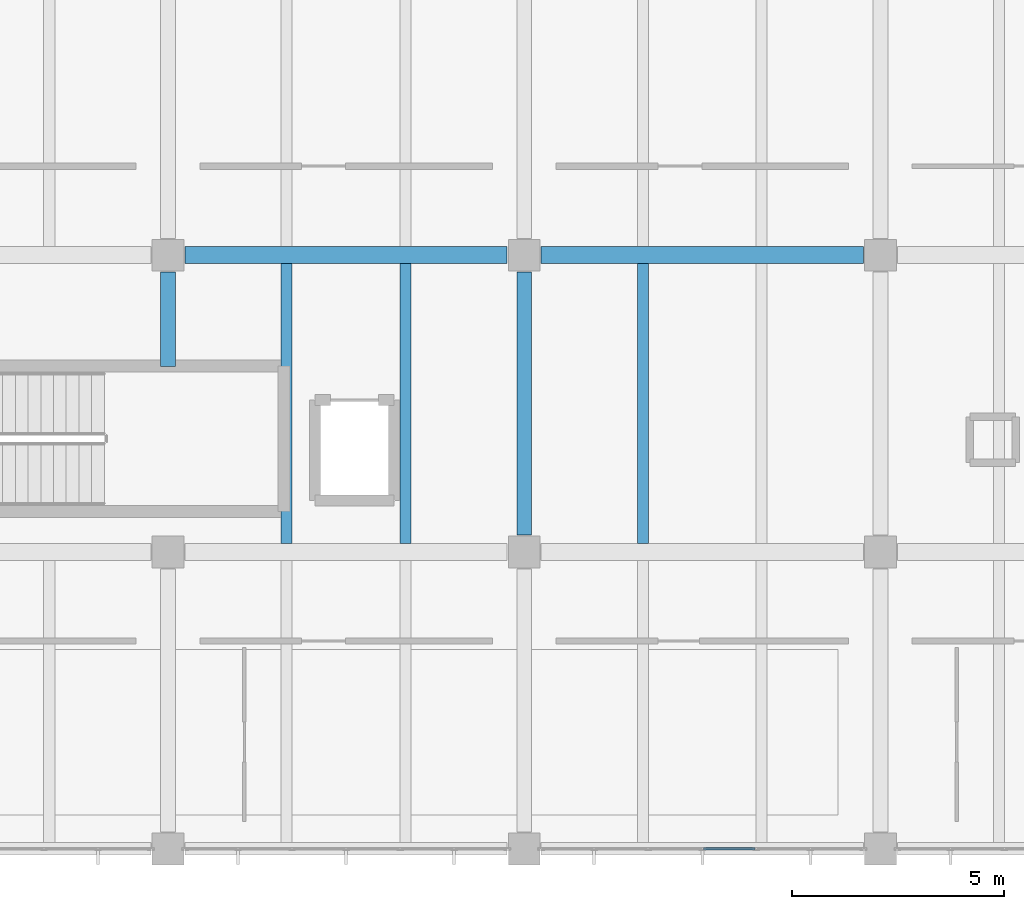
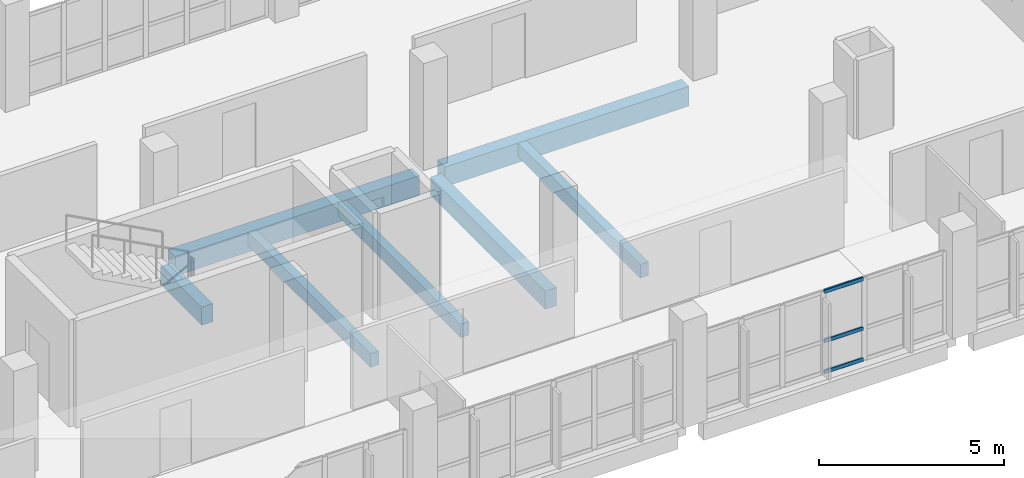
# One storey, part 17 of 95: 7 beams, 3 members, 1 element without a shape of its own.
"""IFC4 building model written with IfcOpenShell, lengths in metres."""

from ifc_helpers import new_model, si_unit, direction, frame, origin, origin_2d, place, context, subcontext, project, spatial, rectangle, hollow_rectangle, extrude, material, layer, layer_set, material_profile, profile_set, type_object, element, aggregate, save


model = new_model("IFC4")

# Units and contexts
model_context = context("Model", 3, precision=1e-05, world=origin(), true_north=direction((0.0, 1.0)))
body_context = subcontext(model_context, "Body", "Model", "MODEL_VIEW")
ifc_project = project(units=[si_unit("LENGTHUNIT", "METRE"), si_unit("AREAUNIT", "SQUARE_METRE"), si_unit("VOLUMEUNIT", "CUBIC_METRE"), si_unit("PLANEANGLEUNIT", "RADIAN"), si_unit("MASSUNIT", "GRAM", prefix="KILO"), si_unit("THERMODYNAMICTEMPERATUREUNIT", "KELVIN"), si_unit("POWERUNIT", "WATT")], contexts=[model_context])

# Site, building, storey
site_placement = place(None, origin())
site = spatial("IfcSite", under=ifc_project, at=site_placement, CompositionType="ELEMENT")
building_placement = place(site_placement, origin())
building = spatial("IfcBuilding", under=site, at=building_placement, Name="Mavoryth Pier Ferry Terminal", CompositionType="ELEMENT")
storey_placement = place(building_placement, frame((0.0, 0.0, 9.60009765625)))
storey = spatial("IfcBuildingStorey", under=building, at=storey_placement, Name="L02", CompositionType="ELEMENT", Elevation=9.60009765625)

# Beams
ifc_material_1 = material(Name="Concrete C35/45", Category="concrete")
ifc_material_profile_1 = material_profile(ifc_material_1, rectangle(XDim=0.35009765625, YDim=0.60009765625, at=origin_2d()), Name="RC 350x600", Category="concrete")
ifc_profile_set_1 = profile_set([ifc_material_profile_1], Name="Concrete C35/45 - RC 350x600")
beam_type_1 = type_object("IfcBeamType", Name="Girder-RC-350x600", PredefinedType="BEAM", material=ifc_profile_set_1)
beam_1_placement = place(storey_placement, frame((67.199951171875, 11.3798828125, -0.56005859375), z_axis=(0.0, 1.0, 0.0), x_axis=(-1.0, 0.0, 0.0)))
element("IfcBeam", 1, at=beam_1_placement, inside=storey, type_object=beam_type_1, Name="Beam B02-BG08-0985", PredefinedType="BEAM", context=body_context, shape_type="SweptSolid", body=[
    extrude(rectangle(XDim=0.35009765625, YDim=0.60009765625, at=origin_2d()), origin(), (0.0, 0.0, 1.0), 2.22021484375),
])
beam_2_placement = place(storey_placement, frame((75.60009765625, 7.39990234375, -0.56005859375), z_axis=(0.0, 1.0, 0.0), x_axis=(-1.0, 0.0, 0.0)))
element("IfcBeam", 2, at=beam_2_placement, inside=storey, type_object=beam_type_1, Name="Beam B02-BG08-0988", PredefinedType="BEAM", context=body_context, shape_type="SweptSolid", body=[
    extrude(rectangle(XDim=0.35009765625, YDim=0.60009765625, at=origin_2d()), origin(), (0.0, 0.0, 1.0), 6.2001953125),
])
ifc_material_profile_2 = material_profile(ifc_material_1, rectangle(XDim=0.39990234375, YDim=0.64990234375, at=origin_2d()), Name="RC 400x650", Category="concrete")
ifc_profile_set_2 = profile_set([ifc_material_profile_2], Name="Concrete C35/45 - RC 400x650")
beam_type_2 = type_object("IfcBeamType", Name="Girder-RC-400x650", PredefinedType="BEAM", material=ifc_profile_set_2)
beam_3_placement = place(storey_placement, frame((67.60009765625, 14.0, -0.585205078125), z_axis=(1.0, 0.0, 0.0), x_axis=(0.0, 1.0, 0.0)))
element("IfcBeam", 3, at=beam_3_placement, inside=storey, type_object=beam_type_2, Name="Beam B02-BG05-0966", PredefinedType="BEAM", context=body_context, shape_type="SweptSolid", body=[
    extrude(rectangle(XDim=0.39990234375, YDim=0.64990234375, at=origin_2d()), origin(), (0.0, 0.0, 1.0), 7.599853515625),
])
beam_4_placement = place(storey_placement, frame((76.0, 14.0, -0.585205078125), z_axis=(1.0, 0.0, 0.0), x_axis=(0.0, 1.0, 0.0)))
element("IfcBeam", 4, at=beam_4_placement, inside=storey, type_object=beam_type_2, Name="Beam B02-BG05-0967", PredefinedType="BEAM", context=body_context, shape_type="SweptSolid", body=[
    extrude(rectangle(XDim=0.39990234375, YDim=0.64990234375, at=origin_2d()), origin(), (0.0, 0.0, 1.0), 7.60009765625),
])
ifc_material_profile_3 = material_profile(ifc_material_1, rectangle(XDim=0.260009765625, YDim=0.449951171875, at=origin_2d()), Name="RC 260x450", Category="concrete")
ifc_profile_set_3 = profile_set([ifc_material_profile_3], Name="Concrete C35/45 - RC 260x450")
beam_type_3 = type_object("IfcBeamType", Name="Joist-RC-260x450", PredefinedType="JOIST", material=ifc_profile_set_3)
for number, where, z_axis, x_axis, name in (
    (5, (70.0, 7.199951171875, -0.485107421875), (0.0, 1.0, 0.0), (-1.0, 0.0, 0.0), "Beam B02-BJ03-1012"),
    (6, (72.800048828125, 7.199951171875, -0.485107421875), (0.0, 1.0, 0.0), (-1.0, 0.0, 0.0), "Beam B02-BJ03-1013"),
    (7, (78.39990234375, 7.199951171875, -0.485107421875), (0.0, 1.0, 0.0), (-1.0, 0.0, 0.0), "Beam B02-BJ03-1018"),
):
    element("IfcBeam", number, at=place(storey_placement, frame(where, z_axis=z_axis, x_axis=x_axis)), inside=storey, type_object=beam_type_3, Name=name, PredefinedType="JOIST", context=body_context, shape_type="SweptSolid", body=[
        extrude(rectangle(XDim=0.260009765625, YDim=0.449951171875, at=origin_2d()), origin(), (0.0, 0.0, 1.0), 6.60009765625),
    ])

# Curtain wall, members
ifc_material_2 = material(Name="Anodised Aluminium and Solar-Control Low-E Glass", Category="aluminium")
ifc_layer = layer(ifc_material_2, 0.239990234375, Name="Anodised Aluminium and Solar-Control Low-E Glass", Category="aluminium")
ifc_layer_set = layer_set([ifc_layer], Name="Anodised Aluminium and Solar-Control Low-E Glass - CW-Operations-Mod1200")
curtain_wall_type = type_object("IfcCurtainWallType", Name="CW-Operations-Mod1200", PredefinedType="USERDEFINED", material=ifc_layer_set)
curtain_wall_placement = place(storey_placement, origin())
curtain_wall = element("IfcCurtainWall", 8, at=curtain_wall_placement, inside=storey, type_object=curtain_wall_type, Name="Curtain Wall CW-0222-129", ObjectType="UNITISED CURTAIN WALL", PredefinedType="USERDEFINED")
ifc_material_3 = material(Name="Anodised Aluminium EN AW-6063", Category="aluminium")
ifc_material_profile_4 = material_profile(ifc_material_3, hollow_rectangle(XDim=0.06005859375, YDim=0.125, WallThickness=0.00390625, InnerFilletRadius=0.00390625, OuterFilletRadius=0.008056640625, at=origin_2d()), Name="AL-TRAN 125x60x4", Category="aluminium")
ifc_profile_set_4 = profile_set([ifc_material_profile_4], Name="Anodised Aluminium EN AW-6063 - AL-TRAN 125x60x4")
member_type = type_object("IfcMemberType", Name="Transom-Alum-125x60", PredefinedType="USERDEFINED", material=ifc_profile_set_4)
member_1_placement = place(storey_placement, frame((79.830078125, 0.0, 0.02978515625), z_axis=(1.0, 0.0, 0.0), x_axis=(0.0, 1.0, 0.0)))
member_1 = element("IfcMember", 9, at=member_1_placement, type_object=member_type, Name="CW06 transom 4.1", ObjectType="TRANSOM", PredefinedType="USERDEFINED", context=body_context, shape_type="SweptSolid", body=[
    extrude(hollow_rectangle(XDim=0.06005859375, YDim=0.125, WallThickness=0.00390625, InnerFilletRadius=0.00390625, OuterFilletRadius=0.008056640625, at=origin_2d()), origin(), (0.0, 0.0, 1.0), 1.21484375),
])
member_2_placement = place(storey_placement, frame((79.830078125, 0.0, 1.0498046875), z_axis=(1.0, 0.0, 0.0), x_axis=(0.0, 1.0, 0.0)))
member_2 = element("IfcMember", 10, at=member_2_placement, type_object=member_type, Name="CW06 transom 4.2", ObjectType="TRANSOM", PredefinedType="USERDEFINED", context=body_context, shape_type="SweptSolid", body=[
    extrude(hollow_rectangle(XDim=0.06005859375, YDim=0.125, WallThickness=0.00390625, InnerFilletRadius=0.00390625, OuterFilletRadius=0.008056640625, at=origin_2d()), origin(), (0.0, 0.0, 1.0), 1.21484375),
])
member_3_placement = place(storey_placement, frame((79.830078125, 0.0, 2.6748046875), z_axis=(1.0, 0.0, 0.0), x_axis=(0.0, 1.0, 0.0)))
member_3 = element("IfcMember", 11, at=member_3_placement, type_object=member_type, Name="CW06 transom 4.3", ObjectType="TRANSOM", PredefinedType="USERDEFINED", context=body_context, shape_type="SweptSolid", body=[
    extrude(hollow_rectangle(XDim=0.06005859375, YDim=0.125, WallThickness=0.00390625, InnerFilletRadius=0.00390625, OuterFilletRadius=0.008056640625, at=origin_2d()), origin(), (0.0, 0.0, 1.0), 1.21484375),
])
aggregate(curtain_wall, [member_1, member_2, member_3])

save(model, "model.ifc")
